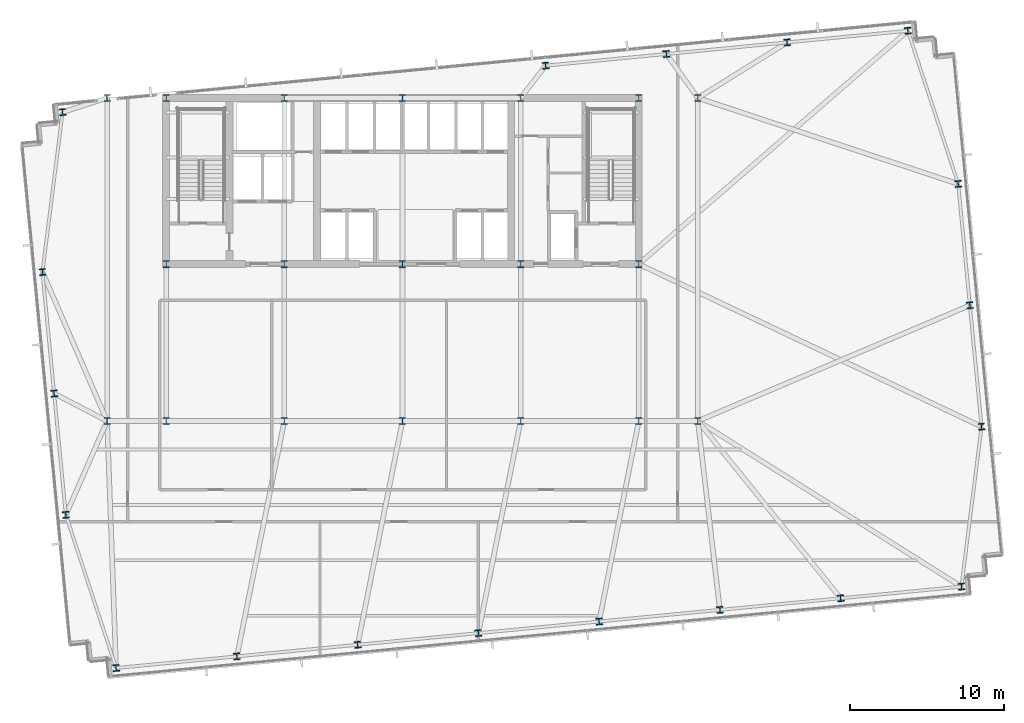
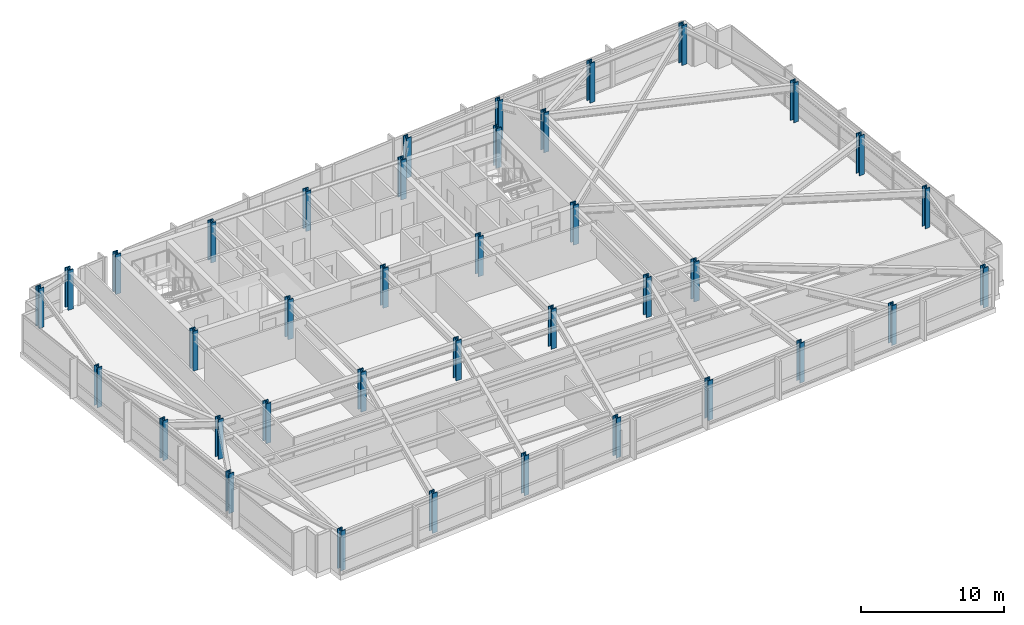
# One storey, part 1 of 33: 38 columns.
"""IFC4 building model written with IfcOpenShell, lengths in metres."""

import ifcopenshell
import ifcopenshell.guid

model = None  # the IFC model being written
_history = None  # IfcOwnerHistory: only IFC2X3 demands one
_inside = {}  # id of a spatial element -> (the spatial element, [elements in it])
_under = {}  # id of a project, library or spatial element -> (it, [spatial elements below it])
_declared = {}  # id of a project -> (the project, [libraries it declares])
_typed = {}  # id of a type object -> (the type object, [elements of that type])
_made_of = {}  # id of a material, layer set ... -> (it, [elements and type objects made of it])


def new_model(schema):
    """Start an empty IFC model of exactly this schema.

    Asked for "IFC4X3", IfcOpenShell would pick the latest addendum, in which some entities
    have other attributes; the version numbers below select the first issue.
    IFC2X3 requires an IfcOwnerHistory on every rooted entity: one is made here for all.
    """
    global model, _history
    if schema == "IFC4X3":
        model = ifcopenshell.file(schema_version=(4, 3, 0, 0))
    else:
        model = ifcopenshell.file(schema=schema)
    _inside.clear()
    _under.clear()
    _declared.clear()
    _typed.clear()
    _made_of.clear()
    _history = None
    if model.schema == "IFC2X3":
        org = make("IfcOrganization", Name="unknown")
        user = make(
            "IfcPersonAndOrganization",
            ThePerson=make("IfcPerson", FamilyName="unknown"),
            TheOrganization=org,
        )
        app = make(
            "IfcApplication",
            ApplicationDeveloper=org,
            Version="unknown",
            ApplicationFullName="unknown",
            ApplicationIdentifier="unknown",
        )
        _history = make(
            "IfcOwnerHistory",
            OwningUser=user,
            OwningApplication=app,
            ChangeAction="ADDED",
            CreationDate=0,
        )
    return model


def make(cls, **values):
    """One entity of the class cls with the attributes given. An attribute that is None is left unset."""
    return model.create_entity(
        cls, **{name: value for name, value in values.items() if value is not None}
    )


def rooted(cls, **values):
    """An entity with a GlobalId (a new one), such as an element, a storey or a relation."""
    return make(cls, GlobalId=ifcopenshell.guid.new(), OwnerHistory=_history, **values)


def si_unit(unit_type, name, prefix=None):
    """IfcSIUnit, for example si_unit("LENGTHUNIT", "METRE", prefix="MILLI")."""
    return make("IfcSIUnit", UnitType=unit_type, Prefix=prefix, Name=name)


def assignment(units):
    """IfcUnitAssignment: the units of a project."""
    return None if units is None else make("IfcUnitAssignment", Units=units)


def point(xyz):
    """IfcCartesianPoint."""
    return None if xyz is None else make("IfcCartesianPoint", Coordinates=xyz)


def direction(xyz):
    """IfcDirection."""
    return None if xyz is None else make("IfcDirection", DirectionRatios=xyz)


def frame(location, z_axis=None, x_axis=None):
    """IfcAxis2Placement3D, a coordinate frame: its origin and axes. An axis left out is left unset."""
    return make(
        "IfcAxis2Placement3D",
        Location=point(location),
        Axis=direction(z_axis),
        RefDirection=direction(x_axis),
    )


def frame_2d(location, x_axis=None):
    """IfcAxis2Placement2D, a coordinate frame in the plane: its origin and x axis."""
    return make(
        "IfcAxis2Placement2D", Location=point(location), RefDirection=direction(x_axis)
    )


def origin():
    """The frame at (0, 0, 0) with its axes left unset."""
    return frame((0.0, 0.0, 0.0))


def origin_2d():
    """The frame at (0, 0) in the plane with its x axis left unset."""
    return frame_2d((0.0, 0.0))


def place(relative_to, where):
    """IfcLocalPlacement: puts the frame where relative to a parent placement (None: the world)."""
    return make(
        "IfcLocalPlacement", PlacementRelTo=relative_to, RelativePlacement=where
    )


def context(
    kind, dimensions, precision=None, world=None, true_north=None, identifier=None
):
    """IfcGeometricRepresentationContext, for example the 3D "Model" context."""
    return make(
        "IfcGeometricRepresentationContext",
        ContextIdentifier=identifier,
        ContextType=kind,
        CoordinateSpaceDimension=dimensions,
        Precision=precision,
        WorldCoordinateSystem=world,
        TrueNorth=true_north,
    )


def subcontext(parent, identifier, kind, view, scale=None):
    """IfcGeometricRepresentationSubContext, for example "Body" below "Model"."""
    return make(
        "IfcGeometricRepresentationSubContext",
        ContextIdentifier=identifier,
        ContextType=kind,
        ParentContext=parent,
        TargetScale=scale,
        TargetView=view,
    )


def project(units=None, contexts=None):
    """IfcProject with its units and contexts."""
    return rooted(
        "IfcProject",
        Name="project",
        RepresentationContexts=contexts,
        UnitsInContext=assignment(units),
    )


def spatial(cls, under=None, at=None, **own):
    """A site, building, storey or space (cls), placed at a placement, below another one or the project."""
    s = rooted(cls, ObjectPlacement=at, **own)
    if under is not None:
        _under.setdefault(under.id(), (under, []))[1].append(s)
    return s


def profile(cls, at=None, kind="AREA", **sizes):
    """A parametric profile (cls). Its sizes go by their IFC names, for example OverallWidth=200.0."""
    return make(cls, ProfileType=kind, Position=at, **sizes)


def i_section(**sizes):
    """IfcIShapeProfileDef."""
    return profile("IfcIShapeProfileDef", **sizes)


def extrude(swept, where, along, depth):
    """IfcExtrudedAreaSolid: the profile swept, set in the frame where, extruded along a direction by depth."""
    return make(
        "IfcExtrudedAreaSolid",
        SweptArea=swept,
        Position=where,
        ExtrudedDirection=direction(along),
        Depth=depth,
    )


def shape(context_of_items, identifier, shape_type, items):
    """IfcShapeRepresentation: the items that make up one representation, for example the "Body"."""
    return make(
        "IfcShapeRepresentation",
        ContextOfItems=context_of_items,
        RepresentationIdentifier=identifier,
        RepresentationType=shape_type,
        Items=items,
    )


def material(Name=None, Category=None):
    """IfcMaterial."""
    return make("IfcMaterial", Name=Name, Category=Category)


def material_profile(
    of_material, cross_section, Name=None, Category=None, Priority=None
):
    """IfcMaterialProfile: a cross section and its material."""
    return make(
        "IfcMaterialProfile",
        Name=Name,
        Material=of_material,
        Profile=cross_section,
        Priority=Priority,
        Category=Category,
    )


def profile_set(profiles, Name=None, composite=None):
    """IfcMaterialProfileSet."""
    return make(
        "IfcMaterialProfileSet",
        Name=Name,
        MaterialProfiles=profiles,
        CompositeProfile=composite,
    )


def made_of(thing, what):
    """Note that an element or type object is made of a material, layer set ...; save() writes the relation."""
    if what is not None:
        _made_of.setdefault(what.id(), (what, []))[1].append(thing)
    return thing


def type_object(cls, material=None, **own):
    """A type object (cls), such as IfcWallType, which elements share."""
    return made_of(rooted(cls, **own), material)


def element(
    cls,
    number,
    at=None,
    inside=None,
    cuts=None,
    type_object=None,
    material=None,
    context=None,
    identifier="Body",
    shape_type=None,
    held_by="IfcProductDefinitionShape",
    body=None,
    shapes=None,
    **own,
):
    """One element of the class cls, such as IfcWall. Its Tag is "e" and its number.

    at: its placement. inside: the storey or other place that contains it. cuts: it is an
    opening in that element (IfcRelVoidsElement). A single representation is given by context,
    identifier, shape_type and body (its items); several are given by shapes. held_by: the class
    of the entity that holds the representations. save() writes the other relations.
    """
    e = rooted(cls, Tag="e%d" % number, ObjectPlacement=at, **own)
    if body is not None:
        shapes = [shape(context, identifier, shape_type, body)]
    if shapes is not None:
        e.Representation = make(held_by, Representations=shapes)
    if inside is not None:
        _inside.setdefault(inside.id(), (inside, []))[1].append(e)
    if cuts is not None:
        rooted(
            "IfcRelVoidsElement", RelatingBuildingElement=cuts, RelatedOpeningElement=e
        )
    if type_object is not None:
        _typed.setdefault(type_object.id(), (type_object, []))[1].append(e)
    return made_of(e, material)


def aggregate(whole, parts):
    """IfcRelAggregates: a whole, such as a stair, and the parts it consists of."""
    return rooted("IfcRelAggregates", RelatingObject=whole, RelatedObjects=parts)


def save(model, path):
    """Write the relations noted so far, then the file.

    IfcRelAggregates (storeys below a building ...), IfcRelContainedInSpatialStructure (elements
    in a storey), IfcRelDefinesByType, IfcRelAssociatesMaterial and IfcRelDeclares: one each for
    every whole, place, type object, material and project.
    """
    for whole, parts in _under.values():
        aggregate(whole, parts)
    for where, things in _inside.values():
        rooted(
            "IfcRelContainedInSpatialStructure",
            RelatedElements=things,
            RelatingStructure=where,
        )
    for kind, things in _typed.values():
        rooted("IfcRelDefinesByType", RelatedObjects=things, RelatingType=kind)
    for what, things in _made_of.values():
        rooted("IfcRelAssociatesMaterial", RelatedObjects=things, RelatingMaterial=what)
    for by, libraries in _declared.values():
        rooted("IfcRelDeclares", RelatingContext=by, RelatedDefinitions=libraries)
    model.write(path)


model = new_model("IFC4")

# Units and contexts
model_context = context("Model", 3, precision=1e-05, world=origin(), true_north=direction((0.0, 1.0)))
body_context = subcontext(model_context, "Body", "Model", "MODEL_VIEW")
ifc_project = project(units=[si_unit("LENGTHUNIT", "METRE"), si_unit("AREAUNIT", "SQUARE_METRE"), si_unit("VOLUMEUNIT", "CUBIC_METRE"), si_unit("PLANEANGLEUNIT", "RADIAN"), si_unit("MASSUNIT", "GRAM", prefix="KILO")], contexts=[model_context])

# Site, building, storey
site_placement = place(None, origin())
site = spatial("IfcSite", under=ifc_project, at=site_placement, CompositionType="ELEMENT")
building_placement = place(site_placement, origin())
building = spatial("IfcBuilding", under=site, at=building_placement, Name="Yelkora Congress Tower", CompositionType="ELEMENT")
storey_placement = place(building_placement, frame((0.0, 0.0, 89.699951171875)))
storey = spatial("IfcBuildingStorey", under=building, at=storey_placement, Name="L23", CompositionType="ELEMENT", Elevation=89.699951171875)

# Columns
ifc_material = material(Name="Steel S460M", Category="steel")
ifc_material_profile_1 = material_profile(ifc_material, i_section(OverallWidth=0.412109375, OverallDepth=0.43505859375, WebThickness=0.035888671875, FlangeThickness=0.05810546875, FilletRadius=0.014892578125, at=origin_2d()), Name="HD 400x463")
ifc_profile_set_1 = profile_set([ifc_material_profile_1], Name="Steel S460M")
column_type_1 = type_object("IfcColumnType", Name="COL-HD-463-EXT", PredefinedType="COLUMN", material=ifc_profile_set_1)
for number, where, z_axis, x_axis, name in (
    (1, (19.785888671875, 9.144287109375, 0.0), (0.0, 0.0, 1.0), (0.995396198367, 0.09584575252, 0.0), "L23 Perimeter Column S01"),
    (2, (27.635498046875, 9.900146484375, 0.0), (0.0, 0.0, 1.0), (0.995396198367, 0.09584575252, 0.0), "L23 Perimeter Column S02"),
    (3, (35.48486328125, 10.656005859375, 0.0), (0.0, 0.0, 1.0), (0.995396198367, 0.09584575252, 0.0), "L23 Perimeter Column S03"),
    (4, (43.334228515625, 11.411865234375, 0.0), (0.0, 0.0, 1.0), (0.995396198367, 0.09584575252, 0.0), "L23 Perimeter Column S04"),
    (5, (51.18359375, 12.16748046875, 0.0), (0.0, 0.0, 1.0), (0.995396198367, 0.09584575252, 0.0), "L23 Perimeter Column S05"),
    (6, (59.033203125, 12.92333984375, 0.0), (0.0, 0.0, 1.0), (0.995396198367, 0.09584575252, 0.0), "L23 Perimeter Column S06"),
    (7, (66.882568359375, 13.67919921875, 0.0), (0.0, 0.0, 1.0), (0.995396198367, 0.09584575252, 0.0), "L23 Perimeter Column S07"),
    (8, (74.73193359375, 14.43505859375, 0.0), (0.0, 0.0, 1.0), (0.995396198367, 0.09584575252, 0.0), "L23 Perimeter Column S08"),
    (9, (16.306884765625, 45.27734375, 0.0), (0.0, 0.0, 1.0), (0.995396198367, 0.09584575252, 0.0), "L23 Perimeter Column N01"),
    (10, (47.70458984375, 48.300537109375, 0.0), (0.0, 0.0, 1.0), (0.995396198367, 0.09584575252, 0.0), "L23 Perimeter Column N05"),
    (11, (55.553955078125, 49.056396484375, 0.0), (0.0, 0.0, 1.0), (0.995396198367, 0.09584575252, 0.0), "L23 Perimeter Column N06"),
    (12, (63.4033203125, 49.81201171875, 0.0), (0.0, 0.0, 1.0), (0.995396198367, 0.09584575252, 0.0), "L23 Perimeter Column N07"),
    (13, (71.252685546875, 50.568115234375, 0.0), (0.0, 0.0, 1.0), (0.995396198367, 0.09584575252, 0.0), "L23 Perimeter Column N08"),
    (14, (16.5166015625, 19.101806640625, 0.0), (0.0, 0.0, 1.0), (0.995396198367, 0.09584575252, 0.0), "L23 Perimeter Column W01"),
    (15, (76.041259765625, 24.83349609375, 0.0), (0.0, 0.0, 1.0), (0.995396198367, 0.09584575252, 0.0), "L23 Perimeter Column E01"),
    (16, (15.757080078125, 26.990478515625, 0.0), (0.0, 0.0, 1.0), (0.995396198367, 0.09584575252, 0.0), "L23 Perimeter Column W02"),
    (17, (75.28173828125, 32.721923828125, 0.0), (0.0, 0.0, 1.0), (0.995396198367, 0.09584575252, 0.0), "L23 Perimeter Column E02"),
    (18, (14.997314453125, 34.87890625, 0.0), (0.0, 0.0, 1.0), (0.995396198367, 0.09584575252, 0.0), "L23 Perimeter Column W03"),
    (19, (74.522216796875, 40.610595703125, 0.0), (0.0, 0.0, 1.0), (0.995396198367, 0.09584575252, 0.0), "L23 Perimeter Column E03"),
):
    element("IfcColumn", number, at=place(storey_placement, frame(where, z_axis=z_axis, x_axis=x_axis)), inside=storey, type_object=column_type_1, Name=name, PredefinedType="COLUMN", context=body_context, shape_type="SweptSolid", body=[
        extrude(i_section(OverallWidth=0.412109375, OverallDepth=0.43505859375, WebThickness=0.035888671875, FlangeThickness=0.05810546875, FilletRadius=0.014892578125, at=origin_2d()), origin(), (0.0, 0.0, 1.0), 3.400146484375),
    ])
ifc_material_profile_2 = material_profile(ifc_material, i_section(OverallWidth=0.424072265625, OverallDepth=0.47412109375, WebThickness=0.047119140625, FlangeThickness=0.076904296875, FilletRadius=0.014892578125, at=origin_2d()), Name="HD 400x634")
ifc_profile_set_2 = profile_set([ifc_material_profile_2], Name="Steel S460M")
column_type_2 = type_object("IfcColumnType", Name="COL-HD-634", PredefinedType="COLUMN", material=ifc_profile_set_2)
for number, where, z_axis, x_axis, name in (
    (20, (23.0400390625, 35.39990234375, 0.0), (0.0, 0.0, 1.0), (1.0, 0.0, 0.0), "L23 Mega Column MC-S1"),
    (21, (23.0400390625, 46.199951171875, 0.0), (0.0, 0.0, 1.0), (1.0, 0.0, 0.0), "L23 Mega Column MC-N1"),
    (22, (23.0400390625, 25.199951171875, 0.0), (0.0, 0.0, 1.0), (1.0, 0.0, 0.0), "L23 Mega Column MC-D1"),
    (23, (30.719970703125, 35.39990234375, 0.0), (0.0, 0.0, 1.0), (1.0, 0.0, 0.0), "L23 Mega Column MC-S2"),
    (24, (30.719970703125, 46.199951171875, 0.0), (0.0, 0.0, 1.0), (1.0, 0.0, 0.0), "L23 Mega Column MC-N2"),
    (25, (30.719970703125, 25.199951171875, 0.0), (0.0, 0.0, 1.0), (1.0, 0.0, 0.0), "L23 Mega Column MC-D2"),
    (26, (38.39990234375, 35.39990234375, 0.0), (0.0, 0.0, 1.0), (1.0, 0.0, 0.0), "L23 Mega Column MC-S3"),
    (27, (38.39990234375, 46.199951171875, 0.0), (0.0, 0.0, 1.0), (1.0, 0.0, 0.0), "L23 Mega Column MC-N3"),
    (28, (38.39990234375, 25.199951171875, 0.0), (0.0, 0.0, 1.0), (1.0, 0.0, 0.0), "L23 Mega Column MC-D3"),
    (29, (46.080078125, 35.39990234375, 0.0), (0.0, 0.0, 1.0), (1.0, 0.0, 0.0), "L23 Mega Column MC-S4"),
    (30, (46.080078125, 46.199951171875, 0.0), (0.0, 0.0, 1.0), (1.0, 0.0, 0.0), "L23 Mega Column MC-N4"),
    (31, (46.080078125, 25.199951171875, 0.0), (0.0, 0.0, 1.0), (1.0, 0.0, 0.0), "L23 Mega Column MC-D4"),
    (32, (53.760009765625, 35.39990234375, 0.0), (0.0, 0.0, 1.0), (1.0, 0.0, 0.0), "L23 Mega Column MC-S5"),
    (33, (53.760009765625, 46.199951171875, 0.0), (0.0, 0.0, 1.0), (1.0, 0.0, 0.0), "L23 Mega Column MC-N5"),
    (34, (53.760009765625, 25.199951171875, 0.0), (0.0, 0.0, 1.0), (1.0, 0.0, 0.0), "L23 Mega Column MC-D5"),
    (35, (19.199951171875, 25.199951171875, 0.0), (0.0, 0.0, 1.0), (1.0, 0.0, 0.0), "L23 Mega Column MC-F1"),
    (36, (57.60009765625, 25.199951171875, 0.0), (0.0, 0.0, 1.0), (1.0, 0.0, 0.0), "L23 Mega Column MC-F2"),
    (37, (19.199951171875, 46.199951171875, 0.0), (0.0, 0.0, 1.0), (1.0, 0.0, 0.0), "L23 Mega Column MC-F3"),
    (38, (57.60009765625, 46.199951171875, 0.0), (0.0, 0.0, 1.0), (1.0, 0.0, 0.0), "L23 Mega Column MC-F4"),
):
    element("IfcColumn", number, at=place(storey_placement, frame(where, z_axis=z_axis, x_axis=x_axis)), inside=storey, type_object=column_type_2, Name=name, PredefinedType="COLUMN", context=body_context, shape_type="SweptSolid", body=[
        extrude(i_section(OverallWidth=0.424072265625, OverallDepth=0.47412109375, WebThickness=0.047119140625, FlangeThickness=0.076904296875, FilletRadius=0.014892578125, at=origin_2d()), origin(), (0.0, 0.0, 1.0), 3.400146484375),
    ])

save(model, "model.ifc")
